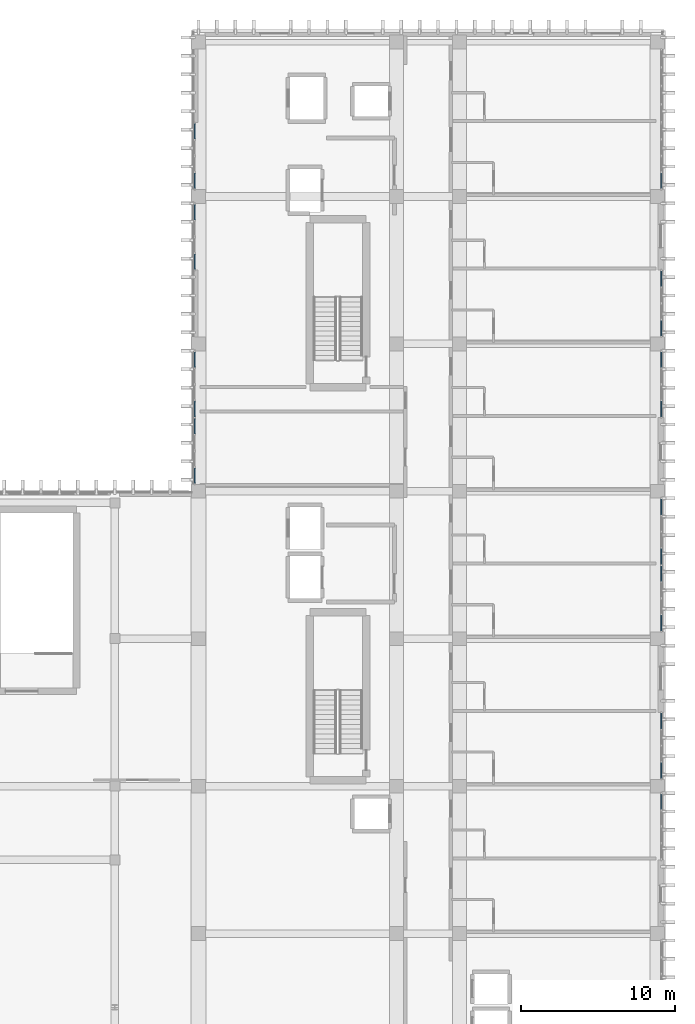
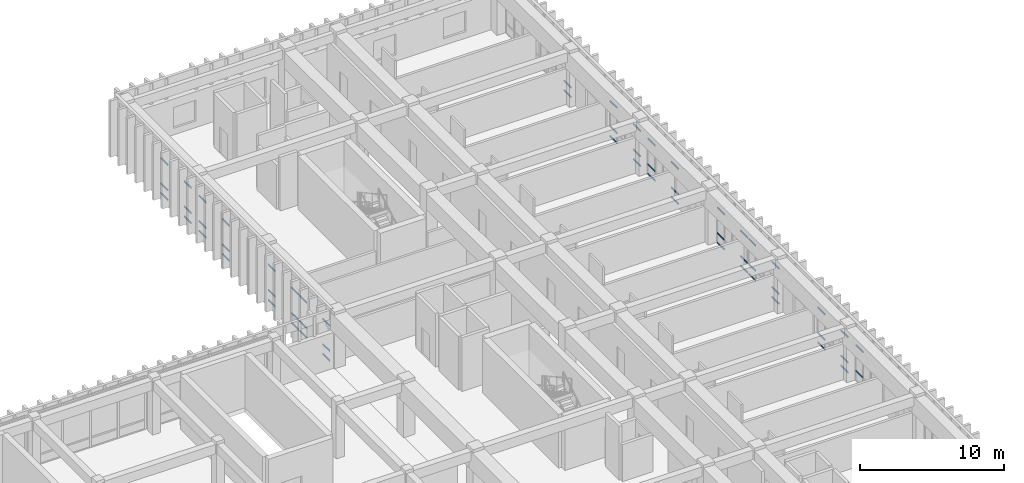
# One storey, part 62 of 101: 58 members, 11 elements without a shape of their own.
"""IFC4 building model written with IfcOpenShell, lengths in metres."""

from ifc_helpers import new_model, si_unit, direction, frame, origin, origin_2d, place, context, subcontext, project, spatial, hollow_rectangle, extrude, material, layer, layer_set, material_profile, profile_set, type_object, element, aggregate, save


model = new_model("IFC4")

# Units and contexts
model_context = context("Model", 3, precision=1e-05, world=origin(), true_north=direction((0.0, 1.0)))
body_context = subcontext(model_context, "Body", "Model", "MODEL_VIEW")
ifc_project = project(units=[si_unit("LENGTHUNIT", "METRE"), si_unit("AREAUNIT", "SQUARE_METRE"), si_unit("VOLUMEUNIT", "CUBIC_METRE"), si_unit("PLANEANGLEUNIT", "RADIAN"), si_unit("MASSUNIT", "GRAM", prefix="KILO")], contexts=[model_context])

# Site, building, storey
site_placement = place(None, origin())
site = spatial("IfcSite", under=ifc_project, at=site_placement, CompositionType="ELEMENT")
building_placement = place(site_placement, origin())
building = spatial("IfcBuilding", under=site, at=building_placement, Name="Nakhvara Creek Congress Hotel", CompositionType="ELEMENT")
storey_placement = place(building_placement, frame((0.0, 0.0, 16.199951171875)))
storey = spatial("IfcBuildingStorey", under=building, at=storey_placement, Name="L03", CompositionType="ELEMENT", Elevation=16.199951171875)

# Curtain wall, members
ifc_material_1 = material(Name="Bronze-anodised aluminium AW-6063-T6 and double-silver low-E glass", Category="aluminium")
ifc_layer = layer(ifc_material_1, 0.199951171875)
ifc_layer_set = layer_set([ifc_layer], Name="Bronze-anodised aluminium AW-6063-T6 and double-silver low-E glass")
curtain_wall_type = type_object("IfcCurtainWallType", Name="CW-HTL-UNIT", PredefinedType="USERDEFINED", material=ifc_layer_set)
curtain_wall_1_placement = place(storey_placement, origin())
curtain_wall_1 = element("IfcCurtainWall", 1, at=curtain_wall_1_placement, inside=storey, type_object=curtain_wall_type, Name="Curtain Wall CW160", ObjectType="UNITISED", PredefinedType="USERDEFINED")
ifc_material_2 = material(Name="Bronze-anodised aluminium AW-6063-T6", Category="aluminium")
ifc_material_profile = material_profile(ifc_material_2, hollow_rectangle(XDim=0.06494140625, YDim=0.1201171875, WallThickness=0.00390625, at=origin_2d()), Name="ALU-TRAN 65x120x4", Category="LoadBearing")
ifc_profile_set = profile_set([ifc_material_profile], Name="Bronze-anodised aluminium AW-6063-T6")
member_type = type_object("IfcMemberType", Name="CW-TRAN-120", PredefinedType="USERDEFINED", material=ifc_profile_set)
member_1_placement = place(storey_placement, frame((179.60009765625, 76.27001953125, 0.85009765625), z_axis=(0.0, -1.0, 0.0), x_axis=(1.0, 0.0, 0.0)))
member_1 = element("IfcMember", 2, at=member_1_placement, type_object=member_type, Name="CW160 transom 1.2", ObjectType="TRANSOM", PredefinedType="USERDEFINED", context=body_context, shape_type="SweptSolid", body=[
    extrude(hollow_rectangle(XDim=0.06494140625, YDim=0.1201171875, WallThickness=0.00390625, at=origin_2d()), origin(), (0.0, 0.0, 1.0), 0.986328125),
])
member_2_placement = place(storey_placement, frame((179.60009765625, 76.27001953125, 2.99951171875), z_axis=(0.0, -1.0, 0.0), x_axis=(1.0, 0.0, 0.0)))
member_2 = element("IfcMember", 3, at=member_2_placement, type_object=member_type, Name="CW160 transom 1.3", ObjectType="TRANSOM", PredefinedType="USERDEFINED", context=body_context, shape_type="SweptSolid", body=[
    extrude(hollow_rectangle(XDim=0.06494140625, YDim=0.1201171875, WallThickness=0.00390625, at=origin_2d()), origin(), (0.0, 0.0, 1.0), 0.986328125),
])
aggregate(curtain_wall_1, [member_1, member_2])

curtain_wall_2_placement = place(storey_placement, origin())
curtain_wall_2 = element("IfcCurtainWall", 4, at=curtain_wall_2_placement, inside=storey, type_object=curtain_wall_type, Name="Curtain Wall CW161", ObjectType="UNITISED", PredefinedType="USERDEFINED")
member_3_placement = place(storey_placement, frame((179.60009765625, 81.534912109375, 0.032470703125), z_axis=(0.0, -1.0, 0.0), x_axis=(1.0, 0.0, 0.0)))
member_3 = element("IfcMember", 5, at=member_3_placement, type_object=member_type, Name="CW161 transom 1.1", ObjectType="TRANSOM", PredefinedType="USERDEFINED", context=body_context, shape_type="SweptSolid", body=[
    extrude(hollow_rectangle(XDim=0.06494140625, YDim=0.1201171875, WallThickness=0.00390625, at=origin_2d()), origin(), (0.0, 0.0, 1.0), 0.986083984375),
])
member_4_placement = place(storey_placement, frame((179.60009765625, 81.534912109375, 0.85009765625), z_axis=(0.0, -1.0, 0.0), x_axis=(1.0, 0.0, 0.0)))
member_4 = element("IfcMember", 6, at=member_4_placement, type_object=member_type, Name="CW161 transom 1.2", ObjectType="TRANSOM", PredefinedType="USERDEFINED", context=body_context, shape_type="SweptSolid", body=[
    extrude(hollow_rectangle(XDim=0.06494140625, YDim=0.1201171875, WallThickness=0.00390625, at=origin_2d()), origin(), (0.0, 0.0, 1.0), 0.986083984375),
])
member_5_placement = place(storey_placement, frame((179.60009765625, 81.534912109375, 2.99951171875), z_axis=(0.0, -1.0, 0.0), x_axis=(1.0, 0.0, 0.0)))
member_5 = element("IfcMember", 7, at=member_5_placement, type_object=member_type, Name="CW161 transom 1.3", ObjectType="TRANSOM", PredefinedType="USERDEFINED", context=body_context, shape_type="SweptSolid", body=[
    extrude(hollow_rectangle(XDim=0.06494140625, YDim=0.1201171875, WallThickness=0.00390625, at=origin_2d()), origin(), (0.0, 0.0, 1.0), 0.986083984375),
])
member_6_placement = place(storey_placement, frame((179.60009765625, 78.316162109375, 0.032470703125), z_axis=(0.0, -1.0, 0.0), x_axis=(1.0, 0.0, 0.0)))
member_6 = element("IfcMember", 8, at=member_6_placement, type_object=member_type, Name="CW161 transom 4.1", ObjectType="TRANSOM", PredefinedType="USERDEFINED", context=body_context, shape_type="SweptSolid", body=[
    extrude(hollow_rectangle(XDim=0.06494140625, YDim=0.1201171875, WallThickness=0.00390625, at=origin_2d()), origin(), (0.0, 0.0, 1.0), 0.986083984375),
])
member_7_placement = place(storey_placement, frame((179.60009765625, 78.316162109375, 0.85009765625), z_axis=(0.0, -1.0, 0.0), x_axis=(1.0, 0.0, 0.0)))
member_7 = element("IfcMember", 9, at=member_7_placement, type_object=member_type, Name="CW161 transom 4.2", ObjectType="TRANSOM", PredefinedType="USERDEFINED", context=body_context, shape_type="SweptSolid", body=[
    extrude(hollow_rectangle(XDim=0.06494140625, YDim=0.1201171875, WallThickness=0.00390625, at=origin_2d()), origin(), (0.0, 0.0, 1.0), 0.986083984375),
])
member_8_placement = place(storey_placement, frame((179.60009765625, 78.316162109375, 2.99951171875), z_axis=(0.0, -1.0, 0.0), x_axis=(1.0, 0.0, 0.0)))
member_8 = element("IfcMember", 10, at=member_8_placement, type_object=member_type, Name="CW161 transom 4.3", ObjectType="TRANSOM", PredefinedType="USERDEFINED", context=body_context, shape_type="SweptSolid", body=[
    extrude(hollow_rectangle(XDim=0.06494140625, YDim=0.1201171875, WallThickness=0.00390625, at=origin_2d()), origin(), (0.0, 0.0, 1.0), 0.986083984375),
])
aggregate(curtain_wall_2, [member_3, member_4, member_5, member_6, member_7, member_8])

curtain_wall_3_placement = place(storey_placement, origin())
curtain_wall_3 = element("IfcCurtainWall", 11, at=curtain_wall_3_placement, inside=storey, type_object=curtain_wall_type, Name="Curtain Wall CW162", ObjectType="UNITISED", PredefinedType="USERDEFINED")
member_9_placement = place(storey_placement, frame((179.60009765625, 91.135009765625, 0.032470703125), z_axis=(0.0, -1.0, 0.0), x_axis=(1.0, 0.0, 0.0)))
member_9 = element("IfcMember", 12, at=member_9_placement, type_object=member_type, Name="CW162 transom 1.1", ObjectType="TRANSOM", PredefinedType="USERDEFINED", context=body_context, shape_type="SweptSolid", body=[
    extrude(hollow_rectangle(XDim=0.06494140625, YDim=0.1201171875, WallThickness=0.00390625, at=origin_2d()), origin(), (0.0, 0.0, 1.0), 0.986328125),
])
member_10_placement = place(storey_placement, frame((179.60009765625, 91.135009765625, 0.85009765625), z_axis=(0.0, -1.0, 0.0), x_axis=(1.0, 0.0, 0.0)))
member_10 = element("IfcMember", 13, at=member_10_placement, type_object=member_type, Name="CW162 transom 1.2", ObjectType="TRANSOM", PredefinedType="USERDEFINED", context=body_context, shape_type="SweptSolid", body=[
    extrude(hollow_rectangle(XDim=0.06494140625, YDim=0.1201171875, WallThickness=0.00390625, at=origin_2d()), origin(), (0.0, 0.0, 1.0), 0.986328125),
])
member_11_placement = place(storey_placement, frame((179.60009765625, 91.135009765625, 2.99951171875), z_axis=(0.0, -1.0, 0.0), x_axis=(1.0, 0.0, 0.0)))
member_11 = element("IfcMember", 14, at=member_11_placement, type_object=member_type, Name="CW162 transom 1.3", ObjectType="TRANSOM", PredefinedType="USERDEFINED", context=body_context, shape_type="SweptSolid", body=[
    extrude(hollow_rectangle(XDim=0.06494140625, YDim=0.1201171875, WallThickness=0.00390625, at=origin_2d()), origin(), (0.0, 0.0, 1.0), 0.986328125),
])
member_12_placement = place(storey_placement, frame((179.60009765625, 87.916259765625, 0.032470703125), z_axis=(0.0, -1.0, 0.0), x_axis=(1.0, 0.0, 0.0)))
member_12 = element("IfcMember", 15, at=member_12_placement, type_object=member_type, Name="CW162 transom 4.1", ObjectType="TRANSOM", PredefinedType="USERDEFINED", context=body_context, shape_type="SweptSolid", body=[
    extrude(hollow_rectangle(XDim=0.06494140625, YDim=0.1201171875, WallThickness=0.00390625, at=origin_2d()), origin(), (0.0, 0.0, 1.0), 0.986328125),
])
member_13_placement = place(storey_placement, frame((179.60009765625, 87.916259765625, 0.85009765625), z_axis=(0.0, -1.0, 0.0), x_axis=(1.0, 0.0, 0.0)))
member_13 = element("IfcMember", 16, at=member_13_placement, type_object=member_type, Name="CW162 transom 4.2", ObjectType="TRANSOM", PredefinedType="USERDEFINED", context=body_context, shape_type="SweptSolid", body=[
    extrude(hollow_rectangle(XDim=0.06494140625, YDim=0.1201171875, WallThickness=0.00390625, at=origin_2d()), origin(), (0.0, 0.0, 1.0), 0.986328125),
])
member_14_placement = place(storey_placement, frame((179.60009765625, 87.916259765625, 2.99951171875), z_axis=(0.0, -1.0, 0.0), x_axis=(1.0, 0.0, 0.0)))
member_14 = element("IfcMember", 17, at=member_14_placement, type_object=member_type, Name="CW162 transom 4.3", ObjectType="TRANSOM", PredefinedType="USERDEFINED", context=body_context, shape_type="SweptSolid", body=[
    extrude(hollow_rectangle(XDim=0.06494140625, YDim=0.1201171875, WallThickness=0.00390625, at=origin_2d()), origin(), (0.0, 0.0, 1.0), 0.986328125),
])
aggregate(curtain_wall_3, [member_9, member_10, member_11, member_12, member_13, member_14])

curtain_wall_4_placement = place(storey_placement, origin())
curtain_wall_4 = element("IfcCurtainWall", 18, at=curtain_wall_4_placement, inside=storey, type_object=curtain_wall_type, Name="Curtain Wall CW163", ObjectType="UNITISED", PredefinedType="USERDEFINED")
member_15_placement = place(storey_placement, frame((179.60009765625, 95.469970703125, 0.032470703125), z_axis=(0.0, -1.0, 0.0), x_axis=(1.0, 0.0, 0.0)))
member_15 = element("IfcMember", 19, at=member_15_placement, type_object=member_type, Name="CW163 transom 1.1", ObjectType="TRANSOM", PredefinedType="USERDEFINED", context=body_context, shape_type="SweptSolid", body=[
    extrude(hollow_rectangle(XDim=0.06494140625, YDim=0.1201171875, WallThickness=0.00390625, at=origin_2d()), origin(), (0.0, 0.0, 1.0), 0.986328125),
])
member_16_placement = place(storey_placement, frame((179.60009765625, 95.469970703125, 0.85009765625), z_axis=(0.0, -1.0, 0.0), x_axis=(1.0, 0.0, 0.0)))
member_16 = element("IfcMember", 20, at=member_16_placement, type_object=member_type, Name="CW163 transom 1.2", ObjectType="TRANSOM", PredefinedType="USERDEFINED", context=body_context, shape_type="SweptSolid", body=[
    extrude(hollow_rectangle(XDim=0.06494140625, YDim=0.1201171875, WallThickness=0.00390625, at=origin_2d()), origin(), (0.0, 0.0, 1.0), 0.986328125),
])
member_17_placement = place(storey_placement, frame((179.60009765625, 95.469970703125, 2.99951171875), z_axis=(0.0, -1.0, 0.0), x_axis=(1.0, 0.0, 0.0)))
member_17 = element("IfcMember", 21, at=member_17_placement, type_object=member_type, Name="CW163 transom 1.3", ObjectType="TRANSOM", PredefinedType="USERDEFINED", context=body_context, shape_type="SweptSolid", body=[
    extrude(hollow_rectangle(XDim=0.06494140625, YDim=0.1201171875, WallThickness=0.00390625, at=origin_2d()), origin(), (0.0, 0.0, 1.0), 0.986328125),
])
member_18_placement = place(storey_placement, frame((179.60009765625, 92.251220703125, 0.032470703125), z_axis=(0.0, -1.0, 0.0), x_axis=(1.0, 0.0, 0.0)))
member_18 = element("IfcMember", 22, at=member_18_placement, type_object=member_type, Name="CW163 transom 4.1", ObjectType="TRANSOM", PredefinedType="USERDEFINED", context=body_context, shape_type="SweptSolid", body=[
    extrude(hollow_rectangle(XDim=0.06494140625, YDim=0.1201171875, WallThickness=0.00390625, at=origin_2d()), origin(), (0.0, 0.0, 1.0), 0.986328125),
])
member_19_placement = place(storey_placement, frame((179.60009765625, 92.251220703125, 0.85009765625), z_axis=(0.0, -1.0, 0.0), x_axis=(1.0, 0.0, 0.0)))
member_19 = element("IfcMember", 23, at=member_19_placement, type_object=member_type, Name="CW163 transom 4.2", ObjectType="TRANSOM", PredefinedType="USERDEFINED", context=body_context, shape_type="SweptSolid", body=[
    extrude(hollow_rectangle(XDim=0.06494140625, YDim=0.1201171875, WallThickness=0.00390625, at=origin_2d()), origin(), (0.0, 0.0, 1.0), 0.986328125),
])
member_20_placement = place(storey_placement, frame((179.60009765625, 92.251220703125, 2.99951171875), z_axis=(0.0, -1.0, 0.0), x_axis=(1.0, 0.0, 0.0)))
member_20 = element("IfcMember", 24, at=member_20_placement, type_object=member_type, Name="CW163 transom 4.3", ObjectType="TRANSOM", PredefinedType="USERDEFINED", context=body_context, shape_type="SweptSolid", body=[
    extrude(hollow_rectangle(XDim=0.06494140625, YDim=0.1201171875, WallThickness=0.00390625, at=origin_2d()), origin(), (0.0, 0.0, 1.0), 0.986328125),
])
aggregate(curtain_wall_4, [member_15, member_16, member_17, member_18, member_19, member_20])

curtain_wall_5_placement = place(storey_placement, origin())
curtain_wall_5 = element("IfcCurtainWall", 25, at=curtain_wall_5_placement, inside=storey, type_object=curtain_wall_type, Name="Curtain Wall CW164", ObjectType="UNITISED", PredefinedType="USERDEFINED")
member_21_placement = place(storey_placement, frame((149.199951171875, 96.530029296875, 0.032470703125), z_axis=(0.0, 1.0, 0.0), x_axis=(-1.0, 0.0, 0.0)))
member_21 = element("IfcMember", 26, at=member_21_placement, type_object=member_type, Name="CW164 transom 1.1", ObjectType="TRANSOM", PredefinedType="USERDEFINED", context=body_context, shape_type="SweptSolid", body=[
    extrude(hollow_rectangle(XDim=0.06494140625, YDim=0.1201171875, WallThickness=0.00390625, at=origin_2d()), origin(), (0.0, 0.0, 1.0), 0.986328125),
])
member_22_placement = place(storey_placement, frame((149.199951171875, 96.530029296875, 0.85009765625), z_axis=(0.0, 1.0, 0.0), x_axis=(-1.0, 0.0, 0.0)))
member_22 = element("IfcMember", 27, at=member_22_placement, type_object=member_type, Name="CW164 transom 1.2", ObjectType="TRANSOM", PredefinedType="USERDEFINED", context=body_context, shape_type="SweptSolid", body=[
    extrude(hollow_rectangle(XDim=0.06494140625, YDim=0.1201171875, WallThickness=0.00390625, at=origin_2d()), origin(), (0.0, 0.0, 1.0), 0.986328125),
])
member_23_placement = place(storey_placement, frame((149.199951171875, 96.530029296875, 2.99951171875), z_axis=(0.0, 1.0, 0.0), x_axis=(-1.0, 0.0, 0.0)))
member_23 = element("IfcMember", 28, at=member_23_placement, type_object=member_type, Name="CW164 transom 1.3", ObjectType="TRANSOM", PredefinedType="USERDEFINED", context=body_context, shape_type="SweptSolid", body=[
    extrude(hollow_rectangle(XDim=0.06494140625, YDim=0.1201171875, WallThickness=0.00390625, at=origin_2d()), origin(), (0.0, 0.0, 1.0), 0.986328125),
])
member_24_placement = place(storey_placement, frame((149.199951171875, 99.748779296875, 0.032470703125), z_axis=(0.0, 1.0, 0.0), x_axis=(-1.0, 0.0, 0.0)))
member_24 = element("IfcMember", 29, at=member_24_placement, type_object=member_type, Name="CW164 transom 4.1", ObjectType="TRANSOM", PredefinedType="USERDEFINED", context=body_context, shape_type="SweptSolid", body=[
    extrude(hollow_rectangle(XDim=0.06494140625, YDim=0.1201171875, WallThickness=0.00390625, at=origin_2d()), origin(), (0.0, 0.0, 1.0), 0.986328125),
])
member_25_placement = place(storey_placement, frame((149.199951171875, 99.748779296875, 0.85009765625), z_axis=(0.0, 1.0, 0.0), x_axis=(-1.0, 0.0, 0.0)))
member_25 = element("IfcMember", 30, at=member_25_placement, type_object=member_type, Name="CW164 transom 4.2", ObjectType="TRANSOM", PredefinedType="USERDEFINED", context=body_context, shape_type="SweptSolid", body=[
    extrude(hollow_rectangle(XDim=0.06494140625, YDim=0.1201171875, WallThickness=0.00390625, at=origin_2d()), origin(), (0.0, 0.0, 1.0), 0.986328125),
])
member_26_placement = place(storey_placement, frame((149.199951171875, 99.748779296875, 2.99951171875), z_axis=(0.0, 1.0, 0.0), x_axis=(-1.0, 0.0, 0.0)))
member_26 = element("IfcMember", 31, at=member_26_placement, type_object=member_type, Name="CW164 transom 4.3", ObjectType="TRANSOM", PredefinedType="USERDEFINED", context=body_context, shape_type="SweptSolid", body=[
    extrude(hollow_rectangle(XDim=0.06494140625, YDim=0.1201171875, WallThickness=0.00390625, at=origin_2d()), origin(), (0.0, 0.0, 1.0), 0.986328125),
])
aggregate(curtain_wall_5, [member_21, member_22, member_23, member_24, member_25, member_26])

curtain_wall_6_placement = place(storey_placement, origin())
curtain_wall_6 = element("IfcCurtainWall", 32, at=curtain_wall_6_placement, inside=storey, type_object=curtain_wall_type, Name="Curtain Wall CW165", ObjectType="UNITISED", PredefinedType="USERDEFINED")
member_27_placement = place(storey_placement, frame((179.60009765625, 105.070068359375, 0.032470703125), z_axis=(0.0, -1.0, 0.0), x_axis=(1.0, 0.0, 0.0)))
member_27 = element("IfcMember", 33, at=member_27_placement, type_object=member_type, Name="CW165 transom 1.1", ObjectType="TRANSOM", PredefinedType="USERDEFINED", context=body_context, shape_type="SweptSolid", body=[
    extrude(hollow_rectangle(XDim=0.06494140625, YDim=0.1201171875, WallThickness=0.00390625, at=origin_2d()), origin(), (0.0, 0.0, 1.0), 0.986328125),
])
member_28_placement = place(storey_placement, frame((179.60009765625, 105.070068359375, 0.85009765625), z_axis=(0.0, -1.0, 0.0), x_axis=(1.0, 0.0, 0.0)))
member_28 = element("IfcMember", 34, at=member_28_placement, type_object=member_type, Name="CW165 transom 1.2", ObjectType="TRANSOM", PredefinedType="USERDEFINED", context=body_context, shape_type="SweptSolid", body=[
    extrude(hollow_rectangle(XDim=0.06494140625, YDim=0.1201171875, WallThickness=0.00390625, at=origin_2d()), origin(), (0.0, 0.0, 1.0), 0.986328125),
])
member_29_placement = place(storey_placement, frame((179.60009765625, 105.070068359375, 2.99951171875), z_axis=(0.0, -1.0, 0.0), x_axis=(1.0, 0.0, 0.0)))
member_29 = element("IfcMember", 35, at=member_29_placement, type_object=member_type, Name="CW165 transom 1.3", ObjectType="TRANSOM", PredefinedType="USERDEFINED", context=body_context, shape_type="SweptSolid", body=[
    extrude(hollow_rectangle(XDim=0.06494140625, YDim=0.1201171875, WallThickness=0.00390625, at=origin_2d()), origin(), (0.0, 0.0, 1.0), 0.986328125),
])
member_30_placement = place(storey_placement, frame((179.60009765625, 101.851318359375, 0.032470703125), z_axis=(0.0, -1.0, 0.0), x_axis=(1.0, 0.0, 0.0)))
member_30 = element("IfcMember", 36, at=member_30_placement, type_object=member_type, Name="CW165 transom 4.1", ObjectType="TRANSOM", PredefinedType="USERDEFINED", context=body_context, shape_type="SweptSolid", body=[
    extrude(hollow_rectangle(XDim=0.06494140625, YDim=0.1201171875, WallThickness=0.00390625, at=origin_2d()), origin(), (0.0, 0.0, 1.0), 0.986328125),
])
member_31_placement = place(storey_placement, frame((179.60009765625, 101.851318359375, 0.85009765625), z_axis=(0.0, -1.0, 0.0), x_axis=(1.0, 0.0, 0.0)))
member_31 = element("IfcMember", 37, at=member_31_placement, type_object=member_type, Name="CW165 transom 4.2", ObjectType="TRANSOM", PredefinedType="USERDEFINED", context=body_context, shape_type="SweptSolid", body=[
    extrude(hollow_rectangle(XDim=0.06494140625, YDim=0.1201171875, WallThickness=0.00390625, at=origin_2d()), origin(), (0.0, 0.0, 1.0), 0.986328125),
])
member_32_placement = place(storey_placement, frame((179.60009765625, 101.851318359375, 2.99951171875), z_axis=(0.0, -1.0, 0.0), x_axis=(1.0, 0.0, 0.0)))
member_32 = element("IfcMember", 38, at=member_32_placement, type_object=member_type, Name="CW165 transom 4.3", ObjectType="TRANSOM", PredefinedType="USERDEFINED", context=body_context, shape_type="SweptSolid", body=[
    extrude(hollow_rectangle(XDim=0.06494140625, YDim=0.1201171875, WallThickness=0.00390625, at=origin_2d()), origin(), (0.0, 0.0, 1.0), 0.986328125),
])
aggregate(curtain_wall_6, [member_27, member_28, member_29, member_30, member_31, member_32])

curtain_wall_7_placement = place(storey_placement, origin())
curtain_wall_7 = element("IfcCurtainWall", 39, at=curtain_wall_7_placement, inside=storey, type_object=curtain_wall_type, Name="Curtain Wall CW166", ObjectType="UNITISED", PredefinedType="USERDEFINED")
member_33_placement = place(storey_placement, frame((149.199951171875, 100.864990234375, 0.032470703125), z_axis=(0.0, 1.0, 0.0), x_axis=(-1.0, 0.0, 0.0)))
member_33 = element("IfcMember", 40, at=member_33_placement, type_object=member_type, Name="CW166 transom 1.1", ObjectType="TRANSOM", PredefinedType="USERDEFINED", context=body_context, shape_type="SweptSolid", body=[
    extrude(hollow_rectangle(XDim=0.06494140625, YDim=0.1201171875, WallThickness=0.00390625, at=origin_2d()), origin(), (0.0, 0.0, 1.0), 0.986328125),
])
member_34_placement = place(storey_placement, frame((149.199951171875, 100.864990234375, 0.85009765625), z_axis=(0.0, 1.0, 0.0), x_axis=(-1.0, 0.0, 0.0)))
member_34 = element("IfcMember", 41, at=member_34_placement, type_object=member_type, Name="CW166 transom 1.2", ObjectType="TRANSOM", PredefinedType="USERDEFINED", context=body_context, shape_type="SweptSolid", body=[
    extrude(hollow_rectangle(XDim=0.06494140625, YDim=0.1201171875, WallThickness=0.00390625, at=origin_2d()), origin(), (0.0, 0.0, 1.0), 0.986328125),
])
member_35_placement = place(storey_placement, frame((149.199951171875, 100.864990234375, 2.99951171875), z_axis=(0.0, 1.0, 0.0), x_axis=(-1.0, 0.0, 0.0)))
member_35 = element("IfcMember", 42, at=member_35_placement, type_object=member_type, Name="CW166 transom 1.3", ObjectType="TRANSOM", PredefinedType="USERDEFINED", context=body_context, shape_type="SweptSolid", body=[
    extrude(hollow_rectangle(XDim=0.06494140625, YDim=0.1201171875, WallThickness=0.00390625, at=origin_2d()), origin(), (0.0, 0.0, 1.0), 0.986328125),
])
member_36_placement = place(storey_placement, frame((149.199951171875, 104.083740234375, 0.032470703125), z_axis=(0.0, 1.0, 0.0), x_axis=(-1.0, 0.0, 0.0)))
member_36 = element("IfcMember", 43, at=member_36_placement, type_object=member_type, Name="CW166 transom 4.1", ObjectType="TRANSOM", PredefinedType="USERDEFINED", context=body_context, shape_type="SweptSolid", body=[
    extrude(hollow_rectangle(XDim=0.06494140625, YDim=0.1201171875, WallThickness=0.00390625, at=origin_2d()), origin(), (0.0, 0.0, 1.0), 0.986328125),
])
member_37_placement = place(storey_placement, frame((149.199951171875, 104.083740234375, 0.85009765625), z_axis=(0.0, 1.0, 0.0), x_axis=(-1.0, 0.0, 0.0)))
member_37 = element("IfcMember", 44, at=member_37_placement, type_object=member_type, Name="CW166 transom 4.2", ObjectType="TRANSOM", PredefinedType="USERDEFINED", context=body_context, shape_type="SweptSolid", body=[
    extrude(hollow_rectangle(XDim=0.06494140625, YDim=0.1201171875, WallThickness=0.00390625, at=origin_2d()), origin(), (0.0, 0.0, 1.0), 0.986328125),
])
member_38_placement = place(storey_placement, frame((149.199951171875, 104.083740234375, 2.99951171875), z_axis=(0.0, 1.0, 0.0), x_axis=(-1.0, 0.0, 0.0)))
member_38 = element("IfcMember", 45, at=member_38_placement, type_object=member_type, Name="CW166 transom 4.3", ObjectType="TRANSOM", PredefinedType="USERDEFINED", context=body_context, shape_type="SweptSolid", body=[
    extrude(hollow_rectangle(XDim=0.06494140625, YDim=0.1201171875, WallThickness=0.00390625, at=origin_2d()), origin(), (0.0, 0.0, 1.0), 0.986328125),
])
aggregate(curtain_wall_7, [member_33, member_34, member_35, member_36, member_37, member_38])

curtain_wall_8_placement = place(storey_placement, origin())
curtain_wall_8 = element("IfcCurtainWall", 46, at=curtain_wall_8_placement, inside=storey, type_object=curtain_wall_type, Name="Curtain Wall CW167", ObjectType="UNITISED", PredefinedType="USERDEFINED")
member_39_placement = place(storey_placement, frame((179.60009765625, 110.3349609375, 0.032470703125), z_axis=(0.0, -1.0, 0.0), x_axis=(1.0, 0.0, 0.0)))
member_39 = element("IfcMember", 47, at=member_39_placement, type_object=member_type, Name="CW167 transom 1.1", ObjectType="TRANSOM", PredefinedType="USERDEFINED", context=body_context, shape_type="SweptSolid", body=[
    extrude(hollow_rectangle(XDim=0.06494140625, YDim=0.1201171875, WallThickness=0.00390625, at=origin_2d()), origin(), (0.0, 0.0, 1.0), 0.986328125),
])
member_40_placement = place(storey_placement, frame((179.60009765625, 110.3349609375, 0.85009765625), z_axis=(0.0, -1.0, 0.0), x_axis=(1.0, 0.0, 0.0)))
member_40 = element("IfcMember", 48, at=member_40_placement, type_object=member_type, Name="CW167 transom 1.2", ObjectType="TRANSOM", PredefinedType="USERDEFINED", context=body_context, shape_type="SweptSolid", body=[
    extrude(hollow_rectangle(XDim=0.06494140625, YDim=0.1201171875, WallThickness=0.00390625, at=origin_2d()), origin(), (0.0, 0.0, 1.0), 0.986328125),
])
member_41_placement = place(storey_placement, frame((179.60009765625, 110.3349609375, 2.99951171875), z_axis=(0.0, -1.0, 0.0), x_axis=(1.0, 0.0, 0.0)))
member_41 = element("IfcMember", 49, at=member_41_placement, type_object=member_type, Name="CW167 transom 1.3", ObjectType="TRANSOM", PredefinedType="USERDEFINED", context=body_context, shape_type="SweptSolid", body=[
    extrude(hollow_rectangle(XDim=0.06494140625, YDim=0.1201171875, WallThickness=0.00390625, at=origin_2d()), origin(), (0.0, 0.0, 1.0), 0.986328125),
])
member_42_placement = place(storey_placement, frame((179.60009765625, 107.1162109375, 0.032470703125), z_axis=(0.0, -1.0, 0.0), x_axis=(1.0, 0.0, 0.0)))
member_42 = element("IfcMember", 50, at=member_42_placement, type_object=member_type, Name="CW167 transom 4.1", ObjectType="TRANSOM", PredefinedType="USERDEFINED", context=body_context, shape_type="SweptSolid", body=[
    extrude(hollow_rectangle(XDim=0.06494140625, YDim=0.1201171875, WallThickness=0.00390625, at=origin_2d()), origin(), (0.0, 0.0, 1.0), 0.986328125),
])
member_43_placement = place(storey_placement, frame((179.60009765625, 107.1162109375, 0.85009765625), z_axis=(0.0, -1.0, 0.0), x_axis=(1.0, 0.0, 0.0)))
member_43 = element("IfcMember", 51, at=member_43_placement, type_object=member_type, Name="CW167 transom 4.2", ObjectType="TRANSOM", PredefinedType="USERDEFINED", context=body_context, shape_type="SweptSolid", body=[
    extrude(hollow_rectangle(XDim=0.06494140625, YDim=0.1201171875, WallThickness=0.00390625, at=origin_2d()), origin(), (0.0, 0.0, 1.0), 0.986328125),
])
member_44_placement = place(storey_placement, frame((179.60009765625, 107.1162109375, 2.99951171875), z_axis=(0.0, -1.0, 0.0), x_axis=(1.0, 0.0, 0.0)))
member_44 = element("IfcMember", 52, at=member_44_placement, type_object=member_type, Name="CW167 transom 4.3", ObjectType="TRANSOM", PredefinedType="USERDEFINED", context=body_context, shape_type="SweptSolid", body=[
    extrude(hollow_rectangle(XDim=0.06494140625, YDim=0.1201171875, WallThickness=0.00390625, at=origin_2d()), origin(), (0.0, 0.0, 1.0), 0.986328125),
])
aggregate(curtain_wall_8, [member_39, member_40, member_41, member_42, member_43, member_44])

curtain_wall_9_placement = place(storey_placement, origin())
curtain_wall_9 = element("IfcCurtainWall", 53, at=curtain_wall_9_placement, inside=storey, type_object=curtain_wall_type, Name="Curtain Wall CW168", ObjectType="UNITISED", PredefinedType="USERDEFINED")
member_45_placement = place(storey_placement, frame((149.199951171875, 110.465087890625, 0.032470703125), z_axis=(0.0, 1.0, 0.0), x_axis=(-1.0, 0.0, 0.0)))
member_45 = element("IfcMember", 54, at=member_45_placement, type_object=member_type, Name="CW168 transom 1.1", ObjectType="TRANSOM", PredefinedType="USERDEFINED", context=body_context, shape_type="SweptSolid", body=[
    extrude(hollow_rectangle(XDim=0.06494140625, YDim=0.1201171875, WallThickness=0.00390625, at=origin_2d()), origin(), (0.0, 0.0, 1.0), 0.986083984375),
])
member_46_placement = place(storey_placement, frame((149.199951171875, 110.465087890625, 0.85009765625), z_axis=(0.0, 1.0, 0.0), x_axis=(-1.0, 0.0, 0.0)))
member_46 = element("IfcMember", 55, at=member_46_placement, type_object=member_type, Name="CW168 transom 1.2", ObjectType="TRANSOM", PredefinedType="USERDEFINED", context=body_context, shape_type="SweptSolid", body=[
    extrude(hollow_rectangle(XDim=0.06494140625, YDim=0.1201171875, WallThickness=0.00390625, at=origin_2d()), origin(), (0.0, 0.0, 1.0), 0.986083984375),
])
member_47_placement = place(storey_placement, frame((149.199951171875, 110.465087890625, 2.99951171875), z_axis=(0.0, 1.0, 0.0), x_axis=(-1.0, 0.0, 0.0)))
member_47 = element("IfcMember", 56, at=member_47_placement, type_object=member_type, Name="CW168 transom 1.3", ObjectType="TRANSOM", PredefinedType="USERDEFINED", context=body_context, shape_type="SweptSolid", body=[
    extrude(hollow_rectangle(XDim=0.06494140625, YDim=0.1201171875, WallThickness=0.00390625, at=origin_2d()), origin(), (0.0, 0.0, 1.0), 0.986083984375),
])
member_48_placement = place(storey_placement, frame((149.199951171875, 113.683837890625, 0.032470703125), z_axis=(0.0, 1.0, 0.0), x_axis=(-1.0, 0.0, 0.0)))
member_48 = element("IfcMember", 57, at=member_48_placement, type_object=member_type, Name="CW168 transom 4.1", ObjectType="TRANSOM", PredefinedType="USERDEFINED", context=body_context, shape_type="SweptSolid", body=[
    extrude(hollow_rectangle(XDim=0.06494140625, YDim=0.1201171875, WallThickness=0.00390625, at=origin_2d()), origin(), (0.0, 0.0, 1.0), 0.986083984375),
])
member_49_placement = place(storey_placement, frame((149.199951171875, 113.683837890625, 0.85009765625), z_axis=(0.0, 1.0, 0.0), x_axis=(-1.0, 0.0, 0.0)))
member_49 = element("IfcMember", 58, at=member_49_placement, type_object=member_type, Name="CW168 transom 4.2", ObjectType="TRANSOM", PredefinedType="USERDEFINED", context=body_context, shape_type="SweptSolid", body=[
    extrude(hollow_rectangle(XDim=0.06494140625, YDim=0.1201171875, WallThickness=0.00390625, at=origin_2d()), origin(), (0.0, 0.0, 1.0), 0.986083984375),
])
member_50_placement = place(storey_placement, frame((149.199951171875, 113.683837890625, 2.99951171875), z_axis=(0.0, 1.0, 0.0), x_axis=(-1.0, 0.0, 0.0)))
member_50 = element("IfcMember", 59, at=member_50_placement, type_object=member_type, Name="CW168 transom 4.3", ObjectType="TRANSOM", PredefinedType="USERDEFINED", context=body_context, shape_type="SweptSolid", body=[
    extrude(hollow_rectangle(XDim=0.06494140625, YDim=0.1201171875, WallThickness=0.00390625, at=origin_2d()), origin(), (0.0, 0.0, 1.0), 0.986083984375),
])
aggregate(curtain_wall_9, [member_45, member_46, member_47, member_48, member_49, member_50])

curtain_wall_10_placement = place(storey_placement, origin())
curtain_wall_10 = element("IfcCurtainWall", 60, at=curtain_wall_10_placement, inside=storey, type_object=curtain_wall_type, Name="Curtain Wall CW169", ObjectType="UNITISED", PredefinedType="USERDEFINED")
member_51_placement = place(storey_placement, frame((179.60009765625, 116.71630859375, 0.032470703125), z_axis=(0.0, -1.0, 0.0), x_axis=(1.0, 0.0, 0.0)))
member_51 = element("IfcMember", 61, at=member_51_placement, type_object=member_type, Name="CW169 transom 4.1", ObjectType="TRANSOM", PredefinedType="USERDEFINED", context=body_context, shape_type="SweptSolid", body=[
    extrude(hollow_rectangle(XDim=0.06494140625, YDim=0.1201171875, WallThickness=0.00390625, at=origin_2d()), origin(), (0.0, 0.0, 1.0), 0.986328125),
])
member_52_placement = place(storey_placement, frame((179.60009765625, 116.71630859375, 0.85009765625), z_axis=(0.0, -1.0, 0.0), x_axis=(1.0, 0.0, 0.0)))
member_52 = element("IfcMember", 62, at=member_52_placement, type_object=member_type, Name="CW169 transom 4.2", ObjectType="TRANSOM", PredefinedType="USERDEFINED", context=body_context, shape_type="SweptSolid", body=[
    extrude(hollow_rectangle(XDim=0.06494140625, YDim=0.1201171875, WallThickness=0.00390625, at=origin_2d()), origin(), (0.0, 0.0, 1.0), 0.986328125),
])
aggregate(curtain_wall_10, [member_51, member_52])

curtain_wall_11_placement = place(storey_placement, origin())
curtain_wall_11 = element("IfcCurtainWall", 63, at=curtain_wall_11_placement, inside=storey, type_object=curtain_wall_type, Name="Curtain Wall CW170", ObjectType="UNITISED", PredefinedType="USERDEFINED")
member_53_placement = place(storey_placement, frame((149.199951171875, 115.72998046875, 0.032470703125), z_axis=(0.0, 1.0, 0.0), x_axis=(-1.0, 0.0, 0.0)))
member_53 = element("IfcMember", 64, at=member_53_placement, type_object=member_type, Name="CW170 transom 1.1", ObjectType="TRANSOM", PredefinedType="USERDEFINED", context=body_context, shape_type="SweptSolid", body=[
    extrude(hollow_rectangle(XDim=0.06494140625, YDim=0.1201171875, WallThickness=0.00390625, at=origin_2d()), origin(), (0.0, 0.0, 1.0), 0.986328125),
])
member_54_placement = place(storey_placement, frame((149.199951171875, 115.72998046875, 0.85009765625), z_axis=(0.0, 1.0, 0.0), x_axis=(-1.0, 0.0, 0.0)))
member_54 = element("IfcMember", 65, at=member_54_placement, type_object=member_type, Name="CW170 transom 1.2", ObjectType="TRANSOM", PredefinedType="USERDEFINED", context=body_context, shape_type="SweptSolid", body=[
    extrude(hollow_rectangle(XDim=0.06494140625, YDim=0.1201171875, WallThickness=0.00390625, at=origin_2d()), origin(), (0.0, 0.0, 1.0), 0.986328125),
])
member_55_placement = place(storey_placement, frame((149.199951171875, 115.72998046875, 2.99951171875), z_axis=(0.0, 1.0, 0.0), x_axis=(-1.0, 0.0, 0.0)))
member_55 = element("IfcMember", 66, at=member_55_placement, type_object=member_type, Name="CW170 transom 1.3", ObjectType="TRANSOM", PredefinedType="USERDEFINED", context=body_context, shape_type="SweptSolid", body=[
    extrude(hollow_rectangle(XDim=0.06494140625, YDim=0.1201171875, WallThickness=0.00390625, at=origin_2d()), origin(), (0.0, 0.0, 1.0), 0.986328125),
])
member_56_placement = place(storey_placement, frame((149.199951171875, 118.94873046875, 0.032470703125), z_axis=(0.0, 1.0, 0.0), x_axis=(-1.0, 0.0, 0.0)))
member_56 = element("IfcMember", 67, at=member_56_placement, type_object=member_type, Name="CW170 transom 4.1", ObjectType="TRANSOM", PredefinedType="USERDEFINED", context=body_context, shape_type="SweptSolid", body=[
    extrude(hollow_rectangle(XDim=0.06494140625, YDim=0.1201171875, WallThickness=0.00390625, at=origin_2d()), origin(), (0.0, 0.0, 1.0), 0.986328125),
])
member_57_placement = place(storey_placement, frame((149.199951171875, 118.94873046875, 0.85009765625), z_axis=(0.0, 1.0, 0.0), x_axis=(-1.0, 0.0, 0.0)))
member_57 = element("IfcMember", 68, at=member_57_placement, type_object=member_type, Name="CW170 transom 4.2", ObjectType="TRANSOM", PredefinedType="USERDEFINED", context=body_context, shape_type="SweptSolid", body=[
    extrude(hollow_rectangle(XDim=0.06494140625, YDim=0.1201171875, WallThickness=0.00390625, at=origin_2d()), origin(), (0.0, 0.0, 1.0), 0.986328125),
])
member_58_placement = place(storey_placement, frame((149.199951171875, 118.94873046875, 2.99951171875), z_axis=(0.0, 1.0, 0.0), x_axis=(-1.0, 0.0, 0.0)))
member_58 = element("IfcMember", 69, at=member_58_placement, type_object=member_type, Name="CW170 transom 4.3", ObjectType="TRANSOM", PredefinedType="USERDEFINED", context=body_context, shape_type="SweptSolid", body=[
    extrude(hollow_rectangle(XDim=0.06494140625, YDim=0.1201171875, WallThickness=0.00390625, at=origin_2d()), origin(), (0.0, 0.0, 1.0), 0.986328125),
])
aggregate(curtain_wall_11, [member_53, member_54, member_55, member_56, member_57, member_58])

save(model, "model.ifc")
